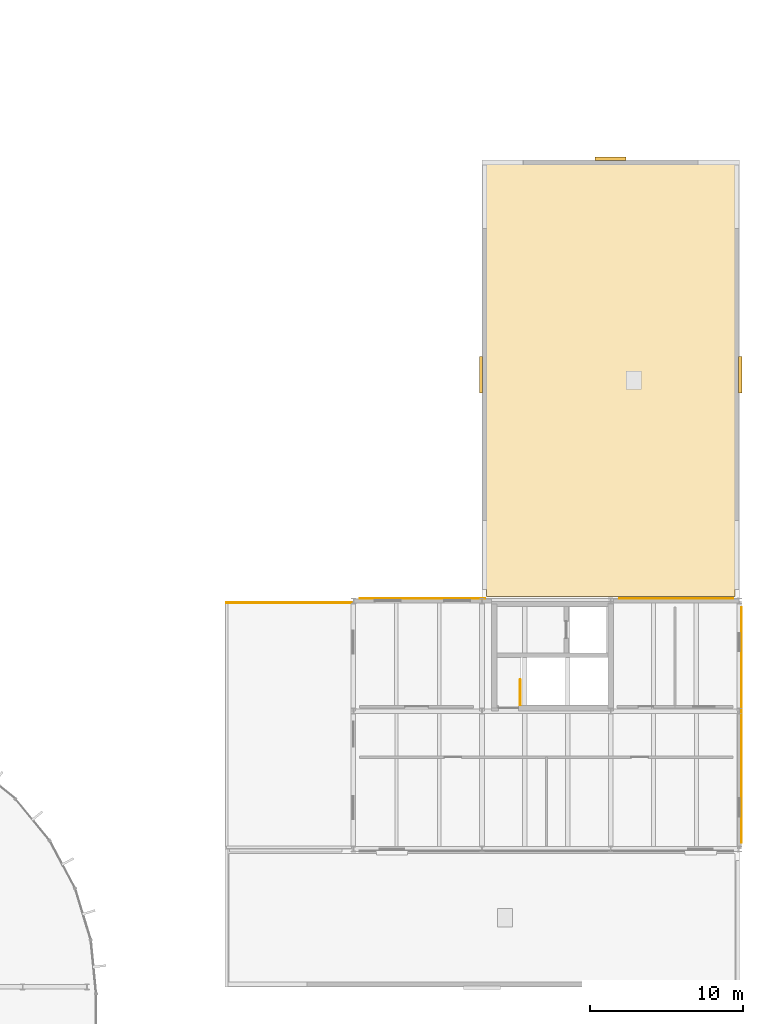
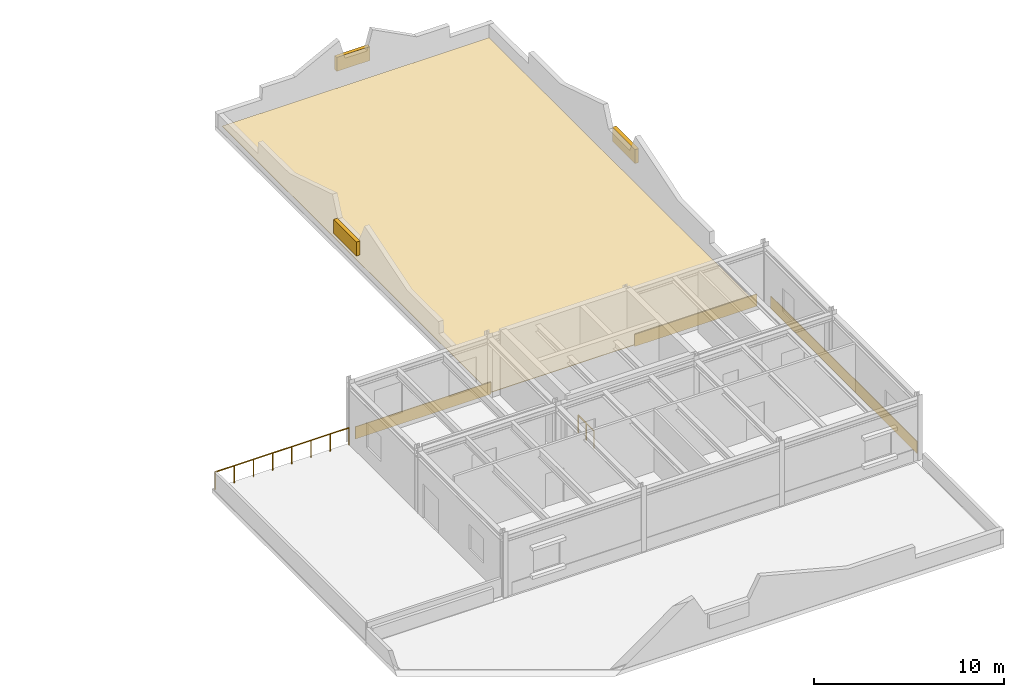
# One storey, part 31 of 31: 7 coverings, 2 railings.
"""IFC4 building model written with IfcOpenShell, lengths in metres."""

from ifc_helpers import new_model, si_unit, direction, frame, origin, origin_2d, place, context, subcontext, project, spatial, polyline, rectangle, circle, outline, extrude, material, layer, layer_set, type_object, element, save


model = new_model("IFC4")

# Units and contexts
model_context = context("Model", 3, precision=1e-05, world=origin(), true_north=direction((0.0, 1.0)))
body_context = subcontext(model_context, "Body", "Model", "MODEL_VIEW")
ifc_project = project(units=[si_unit("LENGTHUNIT", "METRE"), si_unit("AREAUNIT", "SQUARE_METRE"), si_unit("VOLUMEUNIT", "CUBIC_METRE"), si_unit("PLANEANGLEUNIT", "RADIAN"), si_unit("MASSUNIT", "GRAM", prefix="KILO")], contexts=[model_context])

# Site, building, storey
site_placement = place(None, origin())
site = spatial("IfcSite", under=ifc_project, at=site_placement, CompositionType="ELEMENT")
building_placement = place(site_placement, origin())
building = spatial("IfcBuilding", under=site, at=building_placement, Name="Montealbar Specialist Clinic", CompositionType="ELEMENT")
storey_placement = place(building_placement, frame((0.0, 0.0, 13.800048828125)))
storey = spatial("IfcBuildingStorey", under=building, at=storey_placement, Name="L03", CompositionType="ELEMENT", Elevation=13.800048828125)

# Coverings
ifc_material_1 = material(Name="Terracotta architectural cladding", Category="masonry")
ifc_layer_1 = layer(ifc_material_1, 0.044921875, Name="Terracotta architectural cladding", Category="masonry")
ifc_layer_set_1 = layer_set([ifc_layer_1], Name="Terracotta architectural cladding")
covering_type_1 = type_object("IfcCoveringType", Name="COV-CLAD-TERRA", PredefinedType="CLADDING", material=ifc_layer_set_1)
covering_1_placement = place(storey_placement, frame((141.31201171875, 52.35107421875, 0.02978515625), z_axis=(0.0, 0.0, 1.0), x_axis=(1.0, 0.0, 0.0)))
element("IfcCovering", 1, at=covering_1_placement, inside=storey, type_object=covering_type_1, Name="Facade Plinth Cladding Band L03-045", PredefinedType="CLADDING", context=body_context, shape_type="SweptSolid", body=[
    extrude(rectangle(XDim=8.22509765625, YDim=0.044921875, at=origin_2d()), origin(), (0.0, 0.0, 1.0), 0.780029296875),
])
covering_2_placement = place(storey_placement, frame((157.886962890625, 52.35107421875, 0.02978515625), z_axis=(0.0, 0.0, 1.0), x_axis=(1.0, 0.0, 0.0)))
element("IfcCovering", 2, at=covering_2_placement, inside=storey, type_object=covering_type_1, Name="Facade Plinth Cladding Band L03-046", PredefinedType="CLADDING", context=body_context, shape_type="SweptSolid", body=[
    extrude(rectangle(XDim=7.425048828125, YDim=0.044921875, at=origin_2d()), origin(), (0.0, 0.0, 1.0), 0.780029296875),
])
covering_3_placement = place(storey_placement, frame((162.14990234375, 44.10009765625, 0.02978515625), z_axis=(0.0, 0.0, 1.0), x_axis=(0.0, -1.0, 0.0)))
element("IfcCovering", 3, at=covering_3_placement, inside=storey, type_object=covering_type_1, Name="Facade Plinth Cladding Band L03-047", PredefinedType="CLADDING", context=body_context, shape_type="SweptSolid", body=[
    extrude(rectangle(XDim=15.39990234375, YDim=0.044921875, at=origin_2d()), origin(), (0.0, 0.0, 1.0), 0.780029296875),
])
ifc_material_2 = material(Name="Guadarrama granite ashlar", Category="masonry")
ifc_layer_2 = layer(ifc_material_2, 0.280029296875, Name="Guadarrama granite ashlar", Category="masonry")
ifc_layer_set_2 = layer_set([ifc_layer_2], Name="Guadarrama granite ashlar")
covering_type_2 = type_object("IfcCoveringType", Name="COV-HOOD-OCULUS", PredefinedType="CLADDING", material=ifc_layer_set_2)
for number, where, z_axis, x_axis, name in (
    (4, (162.070068359375, 66.97509765625, 0.89990234375), (0.0, 0.0, 1.0), (0.0, -1.0, 0.0), "Postmodern Pediment Granite Keystone L03-09"),
    (5, (145.1298828125, 66.97509765625, 0.89990234375), (0.0, 0.0, 1.0), (0.0, 1.0, 0.0), "Postmodern Pediment Granite Keystone L03-10"),
):
    element("IfcCovering", number, at=place(storey_placement, frame(where, z_axis=z_axis, x_axis=x_axis)), inside=storey, type_object=covering_type_2, Name=name, PredefinedType="CLADDING", context=body_context, shape_type="SweptSolid", body=[
        extrude(rectangle(XDim=2.39990234375, YDim=0.219970703125, at=origin_2d()), origin(), (0.0, 0.0, 1.0), 0.89990234375),
    ])
covering_4_placement = place(storey_placement, frame((153.60009765625, 81.070068359375, 0.89990234375), z_axis=(0.0, 0.0, 1.0), x_axis=(1.0, 0.0, 0.0)))
element("IfcCovering", 6, at=covering_4_placement, inside=storey, type_object=covering_type_2, Name="Postmodern Pediment Granite Keystone L03-11", PredefinedType="CLADDING", context=body_context, shape_type="SweptSolid", body=[
    extrude(rectangle(XDim=2.01611328125, YDim=0.219970703125, at=origin_2d()), origin(), (0.0, 0.0, 1.0), 0.89990234375),
])
ifc_material_3 = material(Name="Weatherproof roofing membrane", Category="concrete")
ifc_layer_3 = layer(ifc_material_3, 0.030029296875, Name="Weatherproof roofing membrane", Category="concrete")
ifc_layer_set_3 = layer_set([ifc_layer_3], Name="Weatherproof roofing membrane")
covering_type_3 = type_object("IfcCoveringType", Name="COV-ROOF-MEMB", PredefinedType="ROOFING", material=ifc_layer_set_3)
covering_5_placement = place(storey_placement, origin())
element("IfcCovering", 7, at=covering_5_placement, inside=storey, type_object=covering_type_3, Name="Weatherproof Roof Membrane ROOF-L03-02", PredefinedType="ROOFING", context=body_context, shape_type="SweptSolid", body=[
    extrude(outline(polyline([(161.719970703125, 80.719970703125), (161.719970703125, 52.47998046875), (145.47998046875, 52.47998046875), (145.47998046875, 80.719970703125), (161.719970703125, 80.719970703125)])), origin(), (0.0, 0.0, 1.0), 0.030029296875),
])

# Railings
ifc_material_4 = material(Name="Steel S355", Category="steel")
ifc_layer_4 = layer(ifc_material_4, 0.06005859375, Name="Steel S355", Category="steel")
ifc_layer_set_4 = layer_set([ifc_layer_4], Name="Steel S355")
railing_type_1 = type_object("IfcRailingType", Name="RAIL-EXT-BAL-1100", PredefinedType="BALUSTRADE", material=ifc_layer_set_4)
railing_1_placement = place(storey_placement, frame((128.52001953125, 52.080078125, 0.0)))
element("IfcRailing", 8, at=railing_1_placement, inside=storey, type_object=railing_type_1, Name="Terrace Safety Balustrade TERR-L03-V3W-N", PredefinedType="BALUSTRADE", context=body_context, shape_type="SweptSolid", body=[
    extrude(circle(Radius=0.02392578125, at=origin_2d()), frame((0.0, 0.0, 1.09619140625), z_axis=(1.0, 0.0, 0.0), x_axis=(0.0, 1.0, 0.0)), (0.0, 0.0, 1.0), 8.159912109375),
    extrude(circle(Radius=0.02099609375, at=origin_2d()), frame((0.0, 0.0, -0.02490234375)), (0.0, 0.0, 1.0), 1.096923828125),
    extrude(circle(Radius=0.02099609375, at=origin_2d()), frame((1.165771484375, 0.0, -0.02490234375)), (0.0, 0.0, 1.0), 1.096923828125),
    extrude(circle(Radius=0.02099609375, at=origin_2d()), frame((2.331298828125, 0.0, -0.02490234375)), (0.0, 0.0, 1.0), 1.096923828125),
    extrude(circle(Radius=0.02099609375, at=origin_2d()), frame((3.4970703125, 0.0, -0.02490234375)), (0.0, 0.0, 1.0), 1.096923828125),
    extrude(circle(Radius=0.02099609375, at=origin_2d()), frame((4.662841796875, 0.0, -0.02490234375)), (0.0, 0.0, 1.0), 1.096923828125),
    extrude(circle(Radius=0.02099609375, at=origin_2d()), frame((5.82861328125, 0.0, -0.02490234375)), (0.0, 0.0, 1.0), 1.096923828125),
    extrude(circle(Radius=0.02099609375, at=origin_2d()), frame((6.994140625, 0.0, -0.02490234375)), (0.0, 0.0, 1.0), 1.096923828125),
    extrude(circle(Radius=0.02099609375, at=origin_2d()), frame((8.159912109375, 0.0, -0.02490234375)), (0.0, 0.0, 1.0), 1.096923828125),
])
ifc_layer_5 = layer(ifc_material_4, 0.050048828125, Name="Steel S355", Category="steel")
ifc_layer_set_5 = layer_set([ifc_layer_5], Name="Steel S355")
railing_type_2 = type_object("IfcRailingType", Name="RAIL-STAIR-BAL-1100", PredefinedType="BALUSTRADE", material=ifc_layer_set_5)
railing_2_placement = place(storey_placement, frame((147.699951171875, 45.39990234375, 0.0)))
element("IfcRailing", 9, at=railing_2_placement, inside=storey, type_object=railing_type_2, Name="L03 ST-06 top well guard 1", PredefinedType="BALUSTRADE", context=body_context, shape_type="SweptSolid", body=[
    extrude(circle(Radius=0.02392578125, at=origin_2d()), frame((0.0, 0.0, 1.076171875), z_axis=(0.0, 1.0, 0.0), x_axis=(-1.0, 0.0, 0.0)), (0.0, 0.0, 1.0), 1.650146484375),
    extrude(circle(Radius=0.02099609375, at=origin_2d()), frame((0.0, 0.0, -0.02490234375)), (0.0, 0.0, 1.0), 1.076904296875),
    extrude(circle(Radius=0.02099609375, at=origin_2d()), frame((0.0, 0.8251953125, -0.02490234375)), (0.0, 0.0, 1.0), 1.076904296875),
    extrude(circle(Radius=0.02099609375, at=origin_2d()), frame((0.0, 1.650146484375, -0.02490234375)), (0.0, 0.0, 1.0), 1.076904296875),
])

save(model, "model.ifc")
